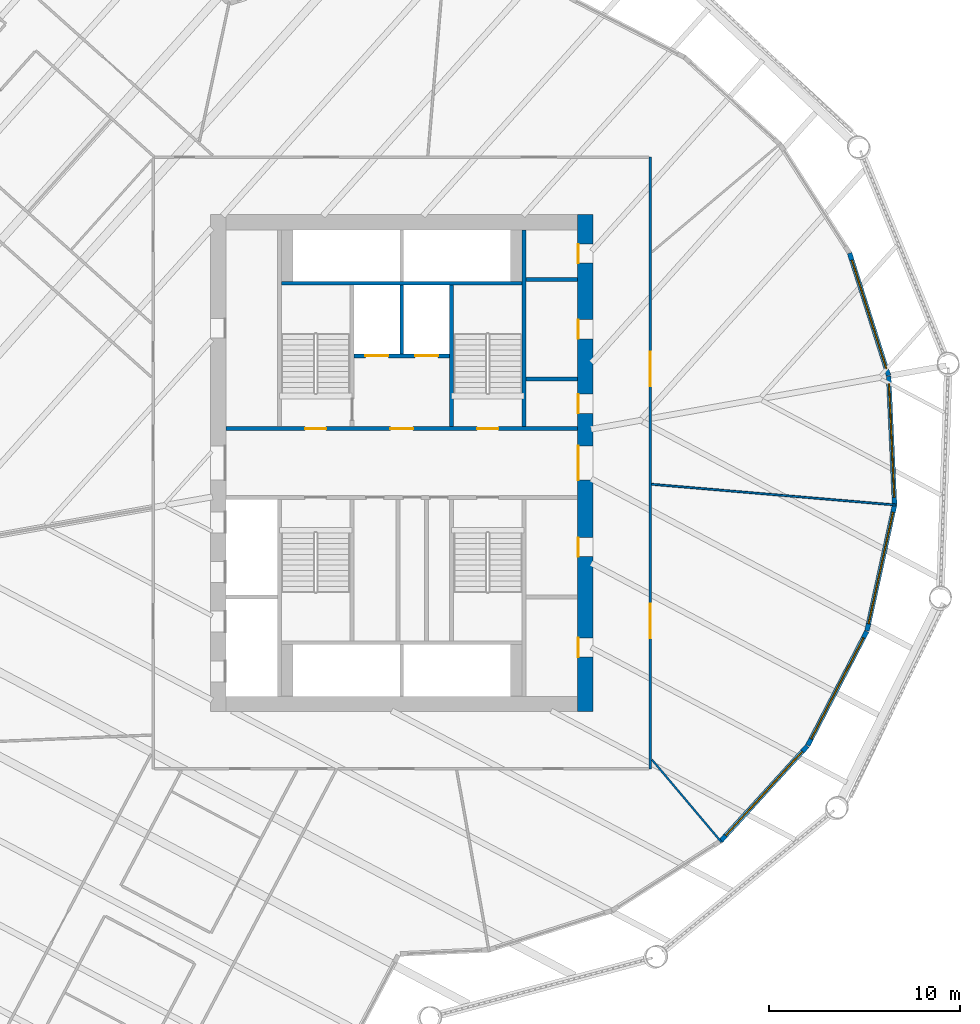
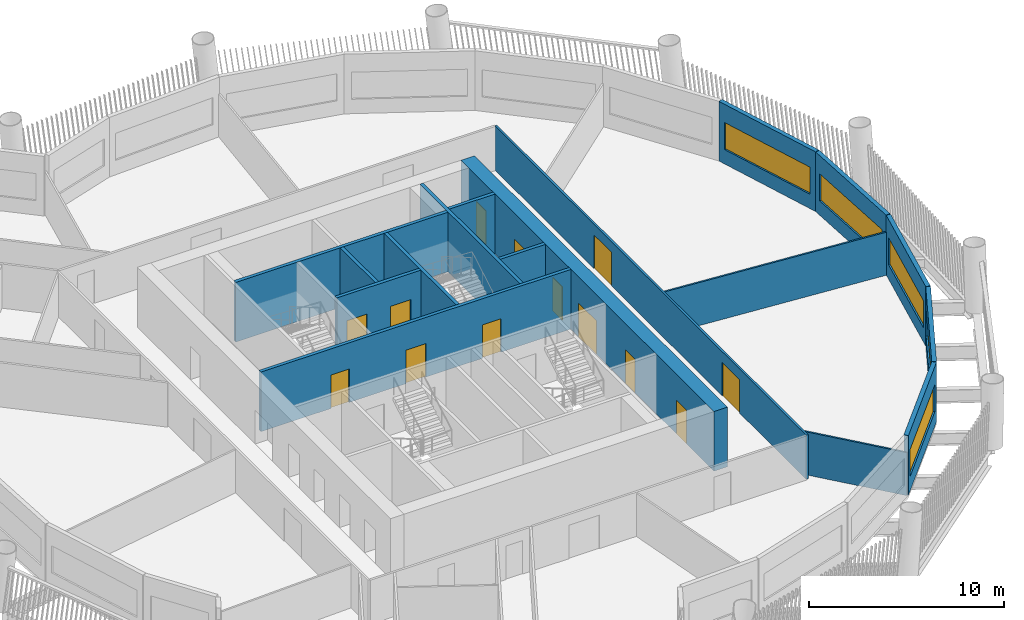
# One storey, part 5 of 16: 17 walls, 13 doors, 5 windows, 18 openings.
"""IFC4 building model written with IfcOpenShell, lengths in metres."""

from ifc_helpers import new_model, si_unit, direction, frame, frame_2d, origin, place, context, subcontext, project, spatial, rectangle, extrude, material, layer, layer_set, type_object, element, fill, save


model = new_model("IFC4")

# Units and contexts
model_context = context("Model", 3, precision=1e-05, world=origin(), true_north=direction((0.0, 1.0)))
body_context = subcontext(model_context, "Body", "Model", "MODEL_VIEW")
ifc_project = project(units=[si_unit("LENGTHUNIT", "METRE"), si_unit("AREAUNIT", "SQUARE_METRE"), si_unit("VOLUMEUNIT", "CUBIC_METRE"), si_unit("PLANEANGLEUNIT", "RADIAN"), si_unit("MASSUNIT", "GRAM", prefix="KILO")], contexts=[model_context])

# Site, building, storey
site_placement = place(None, origin())
site = spatial("IfcSite", under=ifc_project, at=site_placement, CompositionType="ELEMENT")
building_placement = place(site_placement, origin())
building = spatial("IfcBuilding", under=site, at=building_placement, Name="Tarsis Ring Headquarters", CompositionType="ELEMENT")
storey_placement = place(building_placement, frame((0.0, 0.0, 96.699951171875)))
storey = spatial("IfcBuildingStorey", under=building, at=storey_placement, Name="L21", CompositionType="ELEMENT", Elevation=96.699951171875)

# Walls
ifc_material_1 = material(Name="Blockwork", Category="masonry")
ifc_layer_1 = layer(ifc_material_1, 0.199951171875)
ifc_layer_set_1 = layer_set([ifc_layer_1], Name="Core blockwork wall 200")
wall_type_1 = type_object("IfcWallType", Name="Core blockwork wall 200", PredefinedType="PARTITIONING", material=ifc_layer_set_1)
for number, where, z_axis, x_axis, name in (
    (1, (6.5, 4.39990234375, 0.0), (0.0, 0.0, 1.0), (1.0, 0.0, 0.0), "Core partition ED5"),
    (2, (6.5, 9.60009765625, 0.0), (0.0, 0.0, 1.0), (1.0, 0.0, 0.0), "Core partition ED7"),
):
    element("IfcWall", number, at=place(storey_placement, frame(where, z_axis=z_axis, x_axis=x_axis)), inside=storey, type_object=wall_type_1, Name=name, PredefinedType="PARTITIONING", context=body_context, shape_type="SweptSolid", body=[
        extrude(rectangle(XDim=2.699951171875, YDim=0.199951171875, at=frame_2d((1.35009765625, 0.0))), origin(), (0.0, 0.0, 1.0), 3.739990234375),
    ])

# Wall, openings, doors
ifc_material_2 = material(Name="Concrete C60/75", Category="concrete")
ifc_layer_2 = layer(ifc_material_2, 0.800048828125)
ifc_layer_set_2 = layer_set([ifc_layer_2], Name="Core wall 800 C60/75")
wall_type_2 = type_object("IfcWallType", Name="Core wall 800 C60/75", PredefinedType="SHEAR", material=ifc_layer_set_2)
wall_1_placement = place(storey_placement, frame((9.60009765625, -13.0, 0.0), z_axis=(0.0, 0.0, 1.0), x_axis=(0.0, 1.0, 0.0)))
wall_1 = element("IfcWall", 3, at=wall_1_placement, inside=storey, type_object=wall_type_2, Name="Core wall OE", PredefinedType="SHEAR", context=body_context, shape_type="SweptSolid", body=[
    extrude(rectangle(XDim=26.0, YDim=0.800048828125, at=frame_2d((13.0, 0.0))), origin(), (0.0, 0.0, 1.0), 3.739990234375),
])
opening_1_placement = place(wall_1_placement, frame((2.85009765625, 0.0, 0.0)))
opening_1 = element("IfcOpeningElement", 4, at=opening_1_placement, cuts=wall_1, Name="Opening L21-C07", PredefinedType="OPENING", context=body_context, shape_type="SweptSolid", body=[
    extrude(rectangle(XDim=1.0, YDim=2.10009765625, at=frame_2d((0.5, 1.050048828125))), frame((0.0, 0.409912109375, 0.0), z_axis=(0.0, -1.0, 0.0), x_axis=(1.0, 0.0, 0.0)), (0.0, 0.0, 1.0), 0.820068359375),
])
opening_2_placement = place(wall_1_placement, frame((8.10009765625, 0.0, 0.0)))
opening_2 = element("IfcOpeningElement", 5, at=opening_2_placement, cuts=wall_1, Name="Opening L21-C08", PredefinedType="OPENING", context=body_context, shape_type="SweptSolid", body=[
    extrude(rectangle(XDim=1.0, YDim=2.10009765625, at=frame_2d((0.5, 1.050048828125))), frame((0.0, 0.409912109375, 0.0), z_axis=(0.0, -1.0, 0.0), x_axis=(1.0, 0.0, 0.0)), (0.0, 0.0, 1.0), 0.820068359375),
])
opening_3_placement = place(wall_1_placement, frame((12.10009765625, 0.0, 0.0)))
opening_3 = element("IfcOpeningElement", 6, at=opening_3_placement, cuts=wall_1, Name="Opening L21-C09", PredefinedType="OPENING", context=body_context, shape_type="SweptSolid", body=[
    extrude(rectangle(XDim=1.800048828125, YDim=2.10009765625, at=frame_2d((0.89990234375, 1.050048828125))), frame((0.0, 0.409912109375, 0.0), z_axis=(0.0, -1.0, 0.0), x_axis=(1.0, 0.0, 0.0)), (0.0, 0.0, 1.0), 0.820068359375),
])
opening_4_placement = place(wall_1_placement, frame((15.60009765625, 0.0, 0.0)))
opening_4 = element("IfcOpeningElement", 7, at=opening_4_placement, cuts=wall_1, Name="Opening L21-C10", PredefinedType="OPENING", context=body_context, shape_type="SweptSolid", body=[
    extrude(rectangle(XDim=1.0, YDim=2.10009765625, at=frame_2d((0.5, 1.050048828125))), frame((0.0, 0.409912109375, 0.0), z_axis=(0.0, -1.0, 0.0), x_axis=(1.0, 0.0, 0.0)), (0.0, 0.0, 1.0), 0.820068359375),
])
opening_5_placement = place(wall_1_placement, frame((19.5, 0.0, 0.0)))
opening_5 = element("IfcOpeningElement", 8, at=opening_5_placement, cuts=wall_1, Name="Opening L21-C11", PredefinedType="OPENING", context=body_context, shape_type="SweptSolid", body=[
    extrude(rectangle(XDim=1.0, YDim=2.10009765625, at=frame_2d((0.5, 1.050048828125))), frame((0.0, 0.409912109375, 0.0), z_axis=(0.0, -1.0, 0.0), x_axis=(1.0, 0.0, 0.0)), (0.0, 0.0, 1.0), 0.820068359375),
])
opening_6_placement = place(wall_1_placement, frame((23.449951171875, 0.0, 0.0)))
opening_6 = element("IfcOpeningElement", 9, at=opening_6_placement, cuts=wall_1, Name="Opening L21-C12", PredefinedType="OPENING", context=body_context, shape_type="SweptSolid", body=[
    extrude(rectangle(XDim=1.0, YDim=2.10009765625, at=frame_2d((0.5, 1.050048828125))), frame((0.0, 0.409912109375, 0.0), z_axis=(0.0, -1.0, 0.0), x_axis=(1.0, 0.0, 0.0)), (0.0, 0.0, 1.0), 0.820068359375),
])
ifc_material_3 = material(Name="Steel S355", Category="steel")
door_type_1 = type_object("IfcDoorType", Name="Core entry door 1800x2100", OperationType="DOUBLE_DOOR_SINGLE_SWING", PredefinedType="DOOR", material=ifc_material_3)
door_1_placement = place(opening_3_placement, origin())
door_1 = element("IfcDoor", 10, at=door_1_placement, inside=storey, type_object=door_type_1, Name="Core entry door L21", OperationType="DOUBLE_DOOR_SINGLE_SWING", OverallHeight=2.10009765625, OverallWidth=1.800048828125, PredefinedType="DOOR", context=body_context, shape_type="SweptSolid", body=[
    extrude(rectangle(XDim=1.800048828125, YDim=2.10009765625, at=frame_2d((0.89990234375, 1.050048828125))), frame((0.0, 0.39990234375, 0.0), z_axis=(0.0, -1.0, 0.0), x_axis=(1.0, 0.0, 0.0)), (0.0, 0.0, 1.0), 0.050048828125),
])
fill(opening_3, door_1)
door_type_2 = type_object("IfcDoorType", Name="Core room door 1000x2100", OperationType="SINGLE_SWING_LEFT", PredefinedType="DOOR", material=ifc_material_3)
door_2_placement = place(opening_1_placement, origin())
door_2 = element("IfcDoor", 11, at=door_2_placement, inside=storey, type_object=door_type_2, Name="Core room door L21", OperationType="SINGLE_SWING_LEFT", OverallHeight=2.10009765625, OverallWidth=1.0, PredefinedType="DOOR", context=body_context, shape_type="SweptSolid", body=[
    extrude(rectangle(XDim=1.0, YDim=2.10009765625, at=frame_2d((0.5, 1.050048828125))), frame((0.0, 0.39990234375, 0.0), z_axis=(0.0, -1.0, 0.0), x_axis=(1.0, 0.0, 0.0)), (0.0, 0.0, 1.0), 0.050048828125),
])
fill(opening_1, door_2)
door_3_placement = place(opening_2_placement, origin())
door_3 = element("IfcDoor", 12, at=door_3_placement, inside=storey, type_object=door_type_2, Name="Core room door L21", OperationType="SINGLE_SWING_LEFT", OverallHeight=2.10009765625, OverallWidth=1.0, PredefinedType="DOOR", context=body_context, shape_type="SweptSolid", body=[
    extrude(rectangle(XDim=1.0, YDim=2.10009765625, at=frame_2d((0.5, 1.050048828125))), frame((0.0, 0.39990234375, 0.0), z_axis=(0.0, -1.0, 0.0), x_axis=(1.0, 0.0, 0.0)), (0.0, 0.0, 1.0), 0.050048828125),
])
fill(opening_2, door_3)
door_4_placement = place(opening_4_placement, origin())
door_4 = element("IfcDoor", 13, at=door_4_placement, inside=storey, type_object=door_type_2, Name="Core room door L21", OperationType="SINGLE_SWING_LEFT", OverallHeight=2.10009765625, OverallWidth=1.0, PredefinedType="DOOR", context=body_context, shape_type="SweptSolid", body=[
    extrude(rectangle(XDim=1.0, YDim=2.10009765625, at=frame_2d((0.5, 1.050048828125))), frame((0.0, 0.39990234375, 0.0), z_axis=(0.0, -1.0, 0.0), x_axis=(1.0, 0.0, 0.0)), (0.0, 0.0, 1.0), 0.050048828125),
])
fill(opening_4, door_4)
door_5_placement = place(opening_5_placement, origin())
door_5 = element("IfcDoor", 14, at=door_5_placement, inside=storey, type_object=door_type_2, Name="Core room door L21", OperationType="SINGLE_SWING_LEFT", OverallHeight=2.10009765625, OverallWidth=1.0, PredefinedType="DOOR", context=body_context, shape_type="SweptSolid", body=[
    extrude(rectangle(XDim=1.0, YDim=2.10009765625, at=frame_2d((0.5, 1.050048828125))), frame((0.0, 0.39990234375, 0.0), z_axis=(0.0, -1.0, 0.0), x_axis=(1.0, 0.0, 0.0)), (0.0, 0.0, 1.0), 0.050048828125),
])
fill(opening_5, door_5)
door_6_placement = place(opening_6_placement, origin())
door_6 = element("IfcDoor", 15, at=door_6_placement, inside=storey, type_object=door_type_2, Name="Core room door L21", OperationType="SINGLE_SWING_LEFT", OverallHeight=2.10009765625, OverallWidth=1.0, PredefinedType="DOOR", context=body_context, shape_type="SweptSolid", body=[
    extrude(rectangle(XDim=1.0, YDim=2.10009765625, at=frame_2d((0.5, 1.050048828125))), frame((0.0, 0.39990234375, 0.0), z_axis=(0.0, -1.0, 0.0), x_axis=(1.0, 0.0, 0.0)), (0.0, 0.0, 1.0), 0.050048828125),
])
fill(opening_6, door_6)

# Walls
ifc_material_4 = material(Name="Gypsum board on steel studs", Category="steel")
ifc_layer_3 = layer(ifc_material_4, 0.10009765625)
ifc_layer_set_3 = layer_set([ifc_layer_3], Name="FL partition 100 unrated")
wall_type_3 = type_object("IfcWallType", Name="FL partition 100 unrated", PredefinedType="PARTITIONING", material=ifc_layer_set_3)
wall_2_placement = place(storey_placement, frame((13.069580078125, -1.111328125, 0.0), z_axis=(0.0, 0.0, 1.0), x_axis=(0.996405665391, -0.084709798582, 0.0)))
element("IfcWall", 16, at=wall_2_placement, inside=storey, type_object=wall_type_3, Name="Partition PW3", PredefinedType="PARTITIONING", context=body_context, shape_type="SweptSolid", body=[
    extrude(rectangle(XDim=12.8310546875, YDim=0.10009765625, at=frame_2d((6.41552734375, 0.0))), origin(), (0.0, 0.0, 1.0), 2.699951171875),
])
wall_3_placement = place(storey_placement, frame((13.09033203125, -15.523193359375, 0.0), z_axis=(0.0, 0.0, 1.0), x_axis=(0.644655273068, -0.764473399737, 0.0)))
element("IfcWall", 17, at=wall_3_placement, inside=storey, type_object=wall_type_3, Name="Partition PW3", PredefinedType="PARTITIONING", context=body_context, shape_type="SweptSolid", body=[
    extrude(rectangle(XDim=5.64208984375, YDim=0.10009765625, at=frame_2d((2.821044921875, 0.0))), origin(), (0.0, 0.0, 1.0), 2.699951171875),
])

# Wall, openings, doors
ifc_layer_4 = layer(ifc_material_4, 0.125)
ifc_layer_set_4 = layer_set([ifc_layer_4], Name="FL partition 125 EI 60 H2770")
wall_type_4 = type_object("IfcWallType", Name="FL partition 125 EI 60 H2770", PredefinedType="PARTITIONING", material=ifc_layer_set_4)
wall_4_placement = place(storey_placement, frame((13.0, -16.0, 0.0), z_axis=(0.0, 0.0, 1.0), x_axis=(0.0, 1.0, 0.0)))
wall_4 = element("IfcWall", 18, at=wall_4_placement, inside=storey, type_object=wall_type_4, Name="Partition PW1", PredefinedType="PARTITIONING", context=body_context, shape_type="SweptSolid", body=[
    extrude(rectangle(XDim=32.0, YDim=0.125, at=frame_2d((16.0, 0.0))), origin(), (0.0, 0.0, 1.0), 2.77001953125),
])
opening_7_placement = place(wall_4_placement, frame((20.028564453125, 0.0, 0.0)))
opening_7 = element("IfcOpeningElement", 19, at=opening_7_placement, cuts=wall_4, Name="Opening D21.05", PredefinedType="OPENING", context=body_context, shape_type="SweptSolid", body=[
    extrude(rectangle(XDim=1.800048828125, YDim=2.10009765625, at=frame_2d((0.89990234375, 1.050048828125))), frame((0.0, 0.072509765625, 0.0), z_axis=(0.0, -1.0, 0.0), x_axis=(1.0, 0.0, 0.0)), (0.0, 0.0, 1.0), 0.14501953125),
])
opening_8_placement = place(wall_4_placement, frame((6.83935546875, 0.0, 0.0)))
opening_8 = element("IfcOpeningElement", 20, at=opening_8_placement, cuts=wall_4, Name="Opening D21.06", PredefinedType="OPENING", context=body_context, shape_type="SweptSolid", body=[
    extrude(rectangle(XDim=1.800048828125, YDim=2.10009765625, at=frame_2d((0.89990234375, 1.050048828125))), frame((0.0, 0.072509765625, 0.0), z_axis=(0.0, -1.0, 0.0), x_axis=(1.0, 0.0, 0.0)), (0.0, 0.0, 1.0), 0.14501953125),
])
ifc_material_5 = material(Name="Fire-rated timber door leaf in steel frame", Category="steel")
door_type_3 = type_object("IfcDoorType", Name="FL door FD60-1800", OperationType="DOUBLE_DOOR_SINGLE_SWING", PredefinedType="DOOR", material=ifc_material_5)
door_7_placement = place(opening_7_placement, origin())
door_7 = element("IfcDoor", 21, at=door_7_placement, inside=storey, type_object=door_type_3, Name="Door D21.05", OperationType="DOUBLE_DOOR_SINGLE_SWING", OverallHeight=2.10009765625, OverallWidth=1.800048828125, PredefinedType="DOOR", context=body_context, shape_type="SweptSolid", body=[
    extrude(rectangle(XDim=1.800048828125, YDim=2.10009765625, at=frame_2d((0.89990234375, 1.050048828125))), frame((0.0, 0.02490234375, 0.0), z_axis=(0.0, -1.0, 0.0), x_axis=(1.0, 0.0, 0.0)), (0.0, 0.0, 1.0), 0.050048828125),
])
fill(opening_7, door_7)
door_8_placement = place(opening_8_placement, origin())
door_8 = element("IfcDoor", 22, at=door_8_placement, inside=storey, type_object=door_type_3, Name="Door D21.06", OperationType="DOUBLE_DOOR_SINGLE_SWING", OverallHeight=2.10009765625, OverallWidth=1.800048828125, PredefinedType="DOOR", context=body_context, shape_type="SweptSolid", body=[
    extrude(rectangle(XDim=1.800048828125, YDim=2.10009765625, at=frame_2d((0.89990234375, 1.050048828125))), frame((0.0, 0.02490234375, 0.0), z_axis=(0.0, -1.0, 0.0), x_axis=(1.0, 0.0, 0.0)), (0.0, 0.0, 1.0), 0.050048828125),
])
fill(opening_8, door_8)

# Wall, opening, window
ifc_material_6 = material(Name="Terracotta clad insulated panel wall", Category="masonry")
ifc_layer_5 = layer(ifc_material_6, 0.25)
ifc_layer_set_5 = layer_set([ifc_layer_5], Name="Facade wall terracotta panel 250")
wall_type_5 = type_object("IfcWallType", Name="Facade wall terracotta panel 250", PredefinedType="STANDARD", material=ifc_layer_set_5)
wall_5_placement = place(storey_placement, frame((16.69091796875, -19.767822265625, 0.0), z_axis=(0.0, 0.0, 1.0), x_axis=(0.673774858001, 0.73893669602, 0.0)))
wall_5 = element("IfcWall", 23, at=wall_5_placement, inside=storey, type_object=wall_type_5, Name="External wall L21-20", PredefinedType="STANDARD", context=body_context, shape_type="SweptSolid", body=[
    extrude(rectangle(XDim=6.721435546875, YDim=0.25, at=frame_2d((3.36083984375, 0.0))), origin(), (0.0, 0.0, 1.0), 3.739990234375),
])
opening_9_placement = place(wall_5_placement, frame((0.3857421875, 0.0, 0.89990234375)))
opening_9 = element("IfcOpeningElement", 24, at=opening_9_placement, cuts=wall_5, Name="Opening WN07", PredefinedType="OPENING", context=body_context, shape_type="SweptSolid", body=[
    extrude(rectangle(XDim=5.949951171875, YDim=1.699951171875, at=frame_2d((2.97509765625, 0.85009765625))), frame((0.0, 0.135009765625, 0.0), z_axis=(0.0, -1.0, 0.0), x_axis=(1.0, 0.0, 0.0)), (0.0, 0.0, 1.0), 0.27001953125),
])
ifc_material_7 = material(Name="Aluminium framed double glazing", Category="aluminium")
window_type = type_object("IfcWindowType", Name="Facade window 5950 x 1700", PartitioningType="SINGLE_PANEL", PredefinedType="WINDOW", material=ifc_material_7)
window_1_placement = place(opening_9_placement, origin())
window_1 = element("IfcWindow", 25, at=window_1_placement, inside=storey, type_object=window_type, Name="Window L21-20.1", OverallHeight=1.699951171875, OverallWidth=5.949951171875, PartitioningType="SINGLE_PANEL", PredefinedType="WINDOW", context=body_context, shape_type="SweptSolid", body=[
    extrude(rectangle(XDim=5.949951171875, YDim=1.699951171875, at=frame_2d((2.97509765625, 0.85009765625))), frame((0.0, 0.030029296875, 0.0), z_axis=(0.0, -1.0, 0.0), x_axis=(1.0, 0.0, 0.0)), (0.0, 0.0, 1.0), 0.06005859375),
])
fill(opening_9, window_1)

wall_6_placement = place(storey_placement, frame((21.238525390625, -14.774169921875, 0.0), z_axis=(0.0, 0.0, 1.0), x_axis=(0.45959287136, 0.888129716086, 0.0)))
wall_6 = element("IfcWall", 26, at=wall_6_placement, inside=storey, type_object=wall_type_5, Name="External wall L21-21", PredefinedType="STANDARD", context=body_context, shape_type="SweptSolid", body=[
    extrude(rectangle(XDim=6.721435546875, YDim=0.25, at=frame_2d((3.36083984375, 0.0))), origin(), (0.0, 0.0, 1.0), 3.739990234375),
])
opening_10_placement = place(wall_6_placement, frame((0.3857421875, 0.0, 0.89990234375)))
opening_10 = element("IfcOpeningElement", 27, at=opening_10_placement, cuts=wall_6, Name="Opening WN07", PredefinedType="OPENING", context=body_context, shape_type="SweptSolid", body=[
    extrude(rectangle(XDim=5.949951171875, YDim=1.699951171875, at=frame_2d((2.97509765625, 0.85009765625))), frame((0.0, 0.135009765625, 0.0), z_axis=(0.0, -1.0, 0.0), x_axis=(1.0, 0.0, 0.0)), (0.0, 0.0, 1.0), 0.27001953125),
])
window_2_placement = place(opening_10_placement, origin())
window_2 = element("IfcWindow", 28, at=window_2_placement, inside=storey, type_object=window_type, Name="Window L21-21.1", OverallHeight=1.699951171875, OverallWidth=5.949951171875, PartitioningType="SINGLE_PANEL", PredefinedType="WINDOW", context=body_context, shape_type="SweptSolid", body=[
    extrude(rectangle(XDim=5.949951171875, YDim=1.699951171875, at=frame_2d((2.97509765625, 0.85009765625))), frame((0.0, 0.030029296875, 0.0), z_axis=(0.0, -1.0, 0.0), x_axis=(1.0, 0.0, 0.0)), (0.0, 0.0, 1.0), 0.06005859375),
])
fill(opening_10, window_2)

wall_7_placement = place(storey_placement, frame((24.338623046875, -8.77392578125, 0.0), z_axis=(0.0, 0.0, 1.0), x_axis=(0.214048919685, 0.976822941982, 0.0)))
wall_7 = element("IfcWall", 29, at=wall_7_placement, inside=storey, type_object=wall_type_5, Name="External wall L21-22", PredefinedType="STANDARD", context=body_context, shape_type="SweptSolid", body=[
    extrude(rectangle(XDim=6.721435546875, YDim=0.25, at=frame_2d((3.36083984375, 0.0))), origin(), (0.0, 0.0, 1.0), 3.739990234375),
])
opening_11_placement = place(wall_7_placement, frame((0.3857421875, 0.0, 0.89990234375)))
opening_11 = element("IfcOpeningElement", 30, at=opening_11_placement, cuts=wall_7, Name="Opening WN07", PredefinedType="OPENING", context=body_context, shape_type="SweptSolid", body=[
    extrude(rectangle(XDim=5.949951171875, YDim=1.699951171875, at=frame_2d((2.97509765625, 0.85009765625))), frame((0.0, 0.135009765625, 0.0), z_axis=(0.0, -1.0, 0.0), x_axis=(1.0, 0.0, 0.0)), (0.0, 0.0, 1.0), 0.27001953125),
])
window_3_placement = place(opening_11_placement, origin())
window_3 = element("IfcWindow", 31, at=window_3_placement, inside=storey, type_object=window_type, Name="Window L21-22.1", OverallHeight=1.699951171875, OverallWidth=5.949951171875, PartitioningType="SINGLE_PANEL", PredefinedType="WINDOW", context=body_context, shape_type="SweptSolid", body=[
    extrude(rectangle(XDim=5.949951171875, YDim=1.699951171875, at=frame_2d((2.97509765625, 0.85009765625))), frame((0.0, 0.030029296875, 0.0), z_axis=(0.0, -1.0, 0.0), x_axis=(1.0, 0.0, 0.0)), (0.0, 0.0, 1.0), 0.06005859375),
])
fill(opening_11, window_3)

wall_8_placement = place(storey_placement, frame((25.780029296875, -2.175537109375, 0.0), z_axis=(0.0, 0.0, 1.0), x_axis=(-0.046056811371, 0.998938822014, 0.0)))
wall_8 = element("IfcWall", 32, at=wall_8_placement, inside=storey, type_object=wall_type_5, Name="External wall L21-23", PredefinedType="STANDARD", context=body_context, shape_type="SweptSolid", body=[
    extrude(rectangle(XDim=6.721435546875, YDim=0.25, at=frame_2d((3.36083984375, 0.0))), origin(), (0.0, 0.0, 1.0), 3.739990234375),
])
opening_12_placement = place(wall_8_placement, frame((0.3857421875, 0.0, 0.89990234375)))
opening_12 = element("IfcOpeningElement", 33, at=opening_12_placement, cuts=wall_8, Name="Opening WN07", PredefinedType="OPENING", context=body_context, shape_type="SweptSolid", body=[
    extrude(rectangle(XDim=5.949951171875, YDim=1.699951171875, at=frame_2d((2.97509765625, 0.85009765625))), frame((0.0, 0.135009765625, 0.0), z_axis=(0.0, -1.0, 0.0), x_axis=(1.0, 0.0, 0.0)), (0.0, 0.0, 1.0), 0.27001953125),
])
window_4_placement = place(opening_12_placement, origin())
window_4 = element("IfcWindow", 34, at=window_4_placement, inside=storey, type_object=window_type, Name="Window L21-23.1", OverallHeight=1.699951171875, OverallWidth=5.949951171875, PartitioningType="SINGLE_PANEL", PredefinedType="WINDOW", context=body_context, shape_type="SweptSolid", body=[
    extrude(rectangle(XDim=5.949951171875, YDim=1.699951171875, at=frame_2d((2.97509765625, 0.85009765625))), frame((0.0, 0.030029296875, 0.0), z_axis=(0.0, -1.0, 0.0), x_axis=(1.0, 0.0, 0.0)), (0.0, 0.0, 1.0), 0.06005859375),
])
fill(opening_12, window_4)

wall_9_placement = place(storey_placement, frame((25.46484375, 4.57080078125, 0.0), z_axis=(0.0, 0.0, 1.0), x_axis=(-0.303034240795, 0.952979668674, 0.0)))
wall_9 = element("IfcWall", 35, at=wall_9_placement, inside=storey, type_object=wall_type_5, Name="External wall L21-24", PredefinedType="STANDARD", context=body_context, shape_type="SweptSolid", body=[
    extrude(rectangle(XDim=6.7216796875, YDim=0.25, at=frame_2d((3.36083984375, 0.0))), origin(), (0.0, 0.0, 1.0), 3.739990234375),
])
opening_13_placement = place(wall_9_placement, frame((0.3857421875, 0.0, 0.89990234375)))
opening_13 = element("IfcOpeningElement", 36, at=opening_13_placement, cuts=wall_9, Name="Opening WN07", PredefinedType="OPENING", context=body_context, shape_type="SweptSolid", body=[
    extrude(rectangle(XDim=5.949951171875, YDim=1.699951171875, at=frame_2d((2.97509765625, 0.85009765625))), frame((0.0, 0.135009765625, 0.0), z_axis=(0.0, -1.0, 0.0), x_axis=(1.0, 0.0, 0.0)), (0.0, 0.0, 1.0), 0.27001953125),
])
window_5_placement = place(opening_13_placement, origin())
window_5 = element("IfcWindow", 37, at=window_5_placement, inside=storey, type_object=window_type, Name="Window L21-24.1", OverallHeight=1.699951171875, OverallWidth=5.949951171875, PartitioningType="SINGLE_PANEL", PredefinedType="WINDOW", context=body_context, shape_type="SweptSolid", body=[
    extrude(rectangle(XDim=5.949951171875, YDim=1.699951171875, at=frame_2d((2.97509765625, 0.85009765625))), frame((0.0, 0.030029296875, 0.0), z_axis=(0.0, -1.0, 0.0), x_axis=(1.0, 0.0, 0.0)), (0.0, 0.0, 1.0), 0.06005859375),
])
fill(opening_13, window_5)

# Wall, openings, doors
ifc_material_8 = material(Name="Concrete C32/40", Category="concrete")
ifc_layer_6 = layer(ifc_material_8, 0.199951171875)
ifc_layer_set_6 = layer_set([ifc_layer_6], Name="Shaft wall 200 C32/40")
wall_type_6 = type_object("IfcWallType", Name="Shaft wall 200 C32/40", PredefinedType="SOLIDWALL", material=ifc_layer_set_6)
wall_10_placement = place(storey_placement, frame((-9.199951171875, 1.800048828125, 0.0), z_axis=(0.0, 0.0, 1.0), x_axis=(1.0, 0.0, 0.0)))
wall_10 = element("IfcWall", 38, at=wall_10_placement, inside=storey, type_object=wall_type_6, Name="Core shaft wall CN", PredefinedType="SOLIDWALL", context=body_context, shape_type="SweptSolid", body=[
    extrude(rectangle(XDim=18.39990234375, YDim=0.199951171875, at=frame_2d((9.199951171875, 0.0))), origin(), (0.0, 0.0, 1.0), 3.739990234375),
])
opening_14_placement = place(wall_10_placement, frame((4.14990234375, 0.0, 0.0)))
opening_14 = element("IfcOpeningElement", 39, at=opening_14_placement, cuts=wall_10, Name="Opening L21-C13", PredefinedType="OPENING", context=body_context, shape_type="SweptSolid", body=[
    extrude(rectangle(XDim=1.10009765625, YDim=2.10009765625, at=frame_2d((0.550048828125, 1.050048828125))), frame((0.0, 0.10986328125, 0.0), z_axis=(0.0, -1.0, 0.0), x_axis=(1.0, 0.0, 0.0)), (0.0, 0.0, 1.0), 0.219970703125),
])
opening_15_placement = place(wall_10_placement, frame((8.60009765625, 0.0, 0.0)))
opening_15 = element("IfcOpeningElement", 40, at=opening_15_placement, cuts=wall_10, Name="Opening L21-C14", PredefinedType="OPENING", context=body_context, shape_type="SweptSolid", body=[
    extrude(rectangle(XDim=1.199951171875, YDim=2.10009765625, at=frame_2d((0.60009765625, 1.050048828125))), frame((0.0, 0.10986328125, 0.0), z_axis=(0.0, -1.0, 0.0), x_axis=(1.0, 0.0, 0.0)), (0.0, 0.0, 1.0), 0.219970703125),
])
opening_16_placement = place(wall_10_placement, frame((13.14990234375, 0.0, 0.0)))
opening_16 = element("IfcOpeningElement", 41, at=opening_16_placement, cuts=wall_10, Name="Opening L21-C15", PredefinedType="OPENING", context=body_context, shape_type="SweptSolid", body=[
    extrude(rectangle(XDim=1.10009765625, YDim=2.10009765625, at=frame_2d((0.550048828125, 1.050048828125))), frame((0.0, 0.10986328125, 0.0), z_axis=(0.0, -1.0, 0.0), x_axis=(1.0, 0.0, 0.0)), (0.0, 0.0, 1.0), 0.219970703125),
])
door_type_4 = type_object("IfcDoorType", Name="Firefighting lobby door 1200x2100", OperationType="DOUBLE_DOOR_SINGLE_SWING", PredefinedType="DOOR", material=ifc_material_3)
door_9_placement = place(opening_15_placement, origin())
door_9 = element("IfcDoor", 42, at=door_9_placement, inside=storey, type_object=door_type_4, Name="Firefighting lobby door L21", OperationType="DOUBLE_DOOR_SINGLE_SWING", OverallHeight=2.10009765625, OverallWidth=1.199951171875, PredefinedType="DOOR", context=body_context, shape_type="SweptSolid", body=[
    extrude(rectangle(XDim=1.199951171875, YDim=2.10009765625, at=frame_2d((0.60009765625, 1.050048828125))), frame((0.0, 0.02490234375, 0.0), z_axis=(0.0, -1.0, 0.0), x_axis=(1.0, 0.0, 0.0)), (0.0, 0.0, 1.0), 0.050048828125),
])
fill(opening_15, door_9)
door_type_5 = type_object("IfcDoorType", Name="Stair door 1100x2100", OperationType="SINGLE_SWING_LEFT", PredefinedType="DOOR", material=ifc_material_3)
door_10_placement = place(opening_14_placement, origin())
door_10 = element("IfcDoor", 43, at=door_10_placement, inside=storey, type_object=door_type_5, Name="Stair door L21", OperationType="SINGLE_SWING_LEFT", OverallHeight=2.10009765625, OverallWidth=1.10009765625, PredefinedType="DOOR", context=body_context, shape_type="SweptSolid", body=[
    extrude(rectangle(XDim=1.10009765625, YDim=2.10009765625, at=frame_2d((0.550048828125, 1.050048828125))), frame((0.0, 0.02490234375, 0.0), z_axis=(0.0, -1.0, 0.0), x_axis=(1.0, 0.0, 0.0)), (0.0, 0.0, 1.0), 0.050048828125),
])
fill(opening_14, door_10)
door_11_placement = place(opening_16_placement, origin())
door_11 = element("IfcDoor", 44, at=door_11_placement, inside=storey, type_object=door_type_5, Name="Stair door L21", OperationType="SINGLE_SWING_LEFT", OverallHeight=2.10009765625, OverallWidth=1.10009765625, PredefinedType="DOOR", context=body_context, shape_type="SweptSolid", body=[
    extrude(rectangle(XDim=1.10009765625, YDim=2.10009765625, at=frame_2d((0.550048828125, 1.050048828125))), frame((0.0, 0.02490234375, 0.0), z_axis=(0.0, -1.0, 0.0), x_axis=(1.0, 0.0, 0.0)), (0.0, 0.0, 1.0), 0.050048828125),
])
fill(opening_16, door_11)

# Walls
wall_11_placement = place(storey_placement, frame((6.39990234375, 1.89990234375, 0.0), z_axis=(0.0, 0.0, 1.0), x_axis=(0.0, 1.0, 0.0)))
element("IfcWall", 45, at=wall_11_placement, inside=storey, type_object=wall_type_6, Name="Core shaft wall EB2", PredefinedType="SOLIDWALL", context=body_context, shape_type="SweptSolid", body=[
    extrude(rectangle(XDim=10.300048828125, YDim=0.199951171875, at=frame_2d((5.14990234375, 0.0))), origin(), (0.0, 0.0, 1.0), 3.739990234375),
])
wall_12_placement = place(storey_placement, frame((-6.300048828125, 9.39990234375, 0.0), z_axis=(0.0, 0.0, 1.0), x_axis=(1.0, 0.0, 0.0)))
element("IfcWall", 46, at=wall_12_placement, inside=storey, type_object=wall_type_6, Name="Core shaft wall NB", PredefinedType="SOLIDWALL", context=body_context, shape_type="SweptSolid", body=[
    extrude(rectangle(XDim=12.60009765625, YDim=0.199951171875, at=frame_2d((6.300048828125, 0.0))), origin(), (0.0, 0.0, 1.0), 3.739990234375),
])
wall_13_placement = place(storey_placement, frame((2.60009765625, 1.89990234375, 0.0), z_axis=(0.0, 0.0, 1.0), x_axis=(0.0, 1.0, 0.0)))
element("IfcWall", 47, at=wall_13_placement, inside=storey, type_object=wall_type_6, Name="Core shaft wall SW2", PredefinedType="SOLIDWALL", context=body_context, shape_type="SweptSolid", body=[
    extrude(rectangle(XDim=7.400146484375, YDim=0.199951171875, at=frame_2d((3.7001953125, 0.0))), origin(), (0.0, 0.0, 1.0), 3.739990234375),
])

# Wall, openings, doors
wall_14_placement = place(storey_placement, frame((-2.5, 5.60009765625, 0.0), z_axis=(0.0, 0.0, 1.0), x_axis=(1.0, 0.0, 0.0)))
wall_14 = element("IfcWall", 48, at=wall_14_placement, inside=storey, type_object=wall_type_6, Name="Core shaft wall FFN", PredefinedType="SOLIDWALL", context=body_context, shape_type="SweptSolid", body=[
    extrude(rectangle(XDim=5.0, YDim=0.199951171875, at=frame_2d((2.5, 0.0))), origin(), (0.0, 0.0, 1.0), 3.739990234375),
])
opening_17_placement = place(wall_14_placement, frame((0.60009765625, 0.0, 0.0)))
opening_17 = element("IfcOpeningElement", 49, at=opening_17_placement, cuts=wall_14, Name="Opening LDF-1", PredefinedType="OPENING", context=body_context, shape_type="SweptSolid", body=[
    extrude(rectangle(XDim=1.199951171875, YDim=2.10009765625, at=frame_2d((0.60009765625, 1.050048828125))), frame((0.0, 0.10986328125, 0.0), z_axis=(0.0, -1.0, 0.0), x_axis=(1.0, 0.0, 0.0)), (0.0, 0.0, 1.0), 0.219970703125),
])
opening_18_placement = place(wall_14_placement, frame((3.199951171875, 0.0, 0.0)))
opening_18 = element("IfcOpeningElement", 50, at=opening_18_placement, cuts=wall_14, Name="Opening LDF-2", PredefinedType="OPENING", context=body_context, shape_type="SweptSolid", body=[
    extrude(rectangle(XDim=1.199951171875, YDim=2.10009765625, at=frame_2d((0.60009765625, 1.050048828125))), frame((0.0, 0.10986328125, 0.0), z_axis=(0.0, -1.0, 0.0), x_axis=(1.0, 0.0, 0.0)), (0.0, 0.0, 1.0), 0.219970703125),
])
door_type_6 = type_object("IfcDoorType", Name="Firefighting landing door 1200x2100", OperationType="SLIDING_TO_LEFT", PredefinedType="DOOR", material=ifc_material_3)
door_12_placement = place(opening_17_placement, origin())
door_12 = element("IfcDoor", 51, at=door_12_placement, inside=storey, type_object=door_type_6, Name="Landing door FF1 L21", OperationType="SLIDING_TO_LEFT", OverallHeight=2.10009765625, OverallWidth=1.199951171875, PredefinedType="DOOR", context=body_context, shape_type="SweptSolid", body=[
    extrude(rectangle(XDim=1.199951171875, YDim=2.10009765625, at=frame_2d((0.60009765625, 1.050048828125))), frame((0.0, 0.02490234375, 0.0), z_axis=(0.0, -1.0, 0.0), x_axis=(1.0, 0.0, 0.0)), (0.0, 0.0, 1.0), 0.050048828125),
])
fill(opening_17, door_12)
door_13_placement = place(opening_18_placement, origin())
door_13 = element("IfcDoor", 52, at=door_13_placement, inside=storey, type_object=door_type_6, Name="Landing door FF2 L21", OperationType="SLIDING_TO_LEFT", OverallHeight=2.10009765625, OverallWidth=1.199951171875, PredefinedType="DOOR", context=body_context, shape_type="SweptSolid", body=[
    extrude(rectangle(XDim=1.199951171875, YDim=2.10009765625, at=frame_2d((0.60009765625, 1.050048828125))), frame((0.0, 0.02490234375, 0.0), z_axis=(0.0, -1.0, 0.0), x_axis=(1.0, 0.0, 0.0)), (0.0, 0.0, 1.0), 0.050048828125),
])
fill(opening_18, door_13)

# Wall
wall_15_placement = place(storey_placement, frame((0.0, 5.699951171875, 0.0), z_axis=(0.0, 0.0, 1.0), x_axis=(0.0, 1.0, 0.0)))
element("IfcWall", 53, at=wall_15_placement, inside=storey, type_object=wall_type_6, Name="Core shaft wall FFD", PredefinedType="SOLIDWALL", context=body_context, shape_type="SweptSolid", body=[
    extrude(rectangle(XDim=3.60009765625, YDim=0.199951171875, at=frame_2d((1.800048828125, 0.0))), origin(), (0.0, 0.0, 1.0), 3.739990234375),
])

save(model, "model.ifc")
